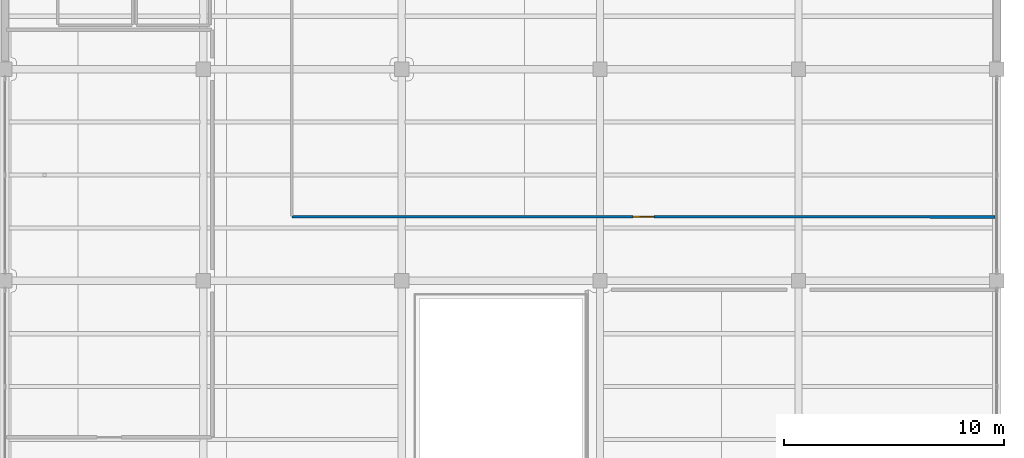
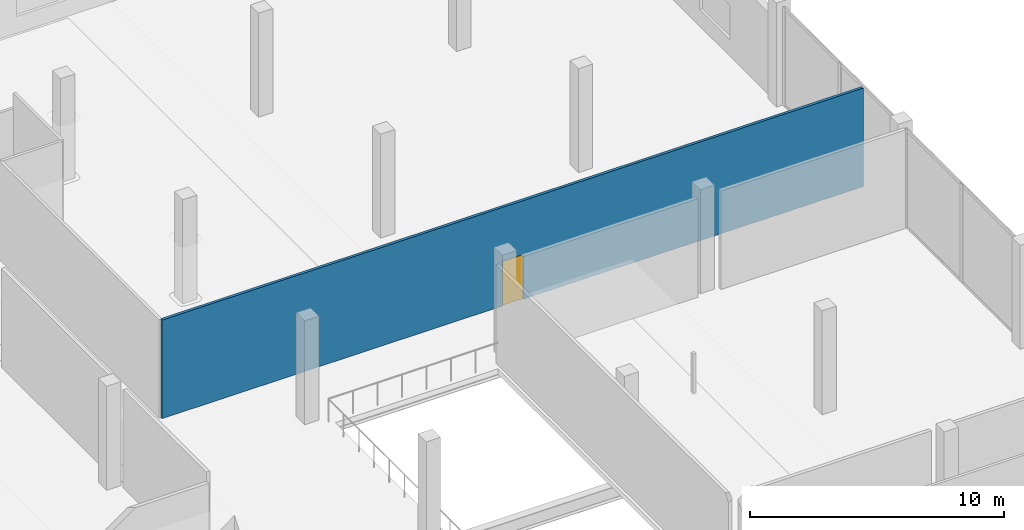
# One storey, part 32 of 46: 1 door, 1 wall, 1 opening.
"""IFC4 building model written with IfcOpenShell, lengths in metres."""

from ifc_helpers import new_model, si_unit, direction, frame, frame_2d, origin, place, context, subcontext, project, spatial, rectangle, extrude, material, layer, layer_set, type_object, element, fill, save


model = new_model("IFC4")

# Units and contexts
model_context = context("Model", 3, precision=1e-05, world=origin(), true_north=direction((0.0, 1.0)))
body_context = subcontext(model_context, "Body", "Model", "MODEL_VIEW")
ifc_project = project(units=[si_unit("LENGTHUNIT", "METRE"), si_unit("AREAUNIT", "SQUARE_METRE"), si_unit("VOLUMEUNIT", "CUBIC_METRE"), si_unit("PLANEANGLEUNIT", "RADIAN"), si_unit("MASSUNIT", "GRAM", prefix="KILO")], contexts=[model_context])

# Site, building, storey
site_placement = place(None, origin())
site = spatial("IfcSite", under=ifc_project, at=site_placement, CompositionType="ELEMENT")
building_placement = place(site_placement, origin())
building = spatial("IfcBuilding", under=site, at=building_placement, Name="Qorvath Tower", CompositionType="ELEMENT")
storey_placement = place(building_placement, frame((0.0, 0.0, 17.0)))
storey = spatial("IfcBuildingStorey", under=building, at=storey_placement, Name="L03", CompositionType="ELEMENT", Elevation=17.0)

# Wall, opening, door
ifc_material_1 = material(Name="Gypsum board on metal studs with mineral wool", Category="gypsum")
ifc_layer = layer(ifc_material_1, 0.125)
ifc_layer_set = layer_set([ifc_layer], Name="IW-PART-125")
wall_type = type_object("IfcWallType", Name="IW-PART-125", PredefinedType="PARTITIONING", material=ifc_layer_set)
wall_placement = place(storey_placement, frame((45.43310546875, 12.508056640625, 0.0), z_axis=(0.0, 0.0, 1.0), x_axis=(0.999999968081, -0.000252662519, 0.0)))
wall = element("IfcWall", 1, at=wall_placement, inside=storey, type_object=wall_type, Name="Interior Partition IW-LB-L03-021", PredefinedType="PARTITIONING", context=body_context, shape_type="SweptSolid", body=[
    extrude(rectangle(XDim=31.886962890625, YDim=0.125, at=frame_2d((15.943359375, 0.0))), origin(), (0.0, 0.0, 1.0), 4.739990234375),
])
opening_placement = place(wall_placement, frame((15.468505859375, 0.0, 0.0)))
opening = element("IfcOpeningElement", 2, at=opening_placement, cuts=wall, Name="Opening D-LB-L03-05", PredefinedType="OPENING", context=body_context, shape_type="SweptSolid", body=[
    extrude(rectangle(XDim=0.949951171875, YDim=2.14990234375, at=frame_2d((0.47509765625, 1.074951171875))), frame((0.0, 0.072509765625, 0.0), z_axis=(0.0, -1.0, 0.0), x_axis=(1.0, 0.0, 0.0)), (0.0, 0.0, 1.0), 0.14501953125),
])
ifc_material_2 = material(Name="Solid-core American white oak veneer", Category="wood")
door_type = type_object("IfcDoorType", Name="D-01", OperationType="NOTDEFINED", PredefinedType="DOOR", material=ifc_material_2)
door_placement = place(opening_placement, origin())
door = element("IfcDoor", 3, at=door_placement, inside=storey, type_object=door_type, Name="L-L03-STK-N Open Book Stack Collection North L03 Door D-LB-L03-05", OperationType="SINGLE_SWING_RIGHT", OverallHeight=2.14990234375, OverallWidth=0.949951171875, PredefinedType="DOOR", context=body_context, shape_type="SweptSolid", body=[
    extrude(rectangle(XDim=0.949951171875, YDim=2.14990234375, at=frame_2d((0.47509765625, 1.074951171875))), frame((0.0, 0.02490234375, 0.0), z_axis=(0.0, -1.0, 0.0), x_axis=(1.0, 0.0, 0.0)), (0.0, 0.0, 1.0), 0.050048828125),
])
fill(opening, door)

save(model, "model.ifc")
